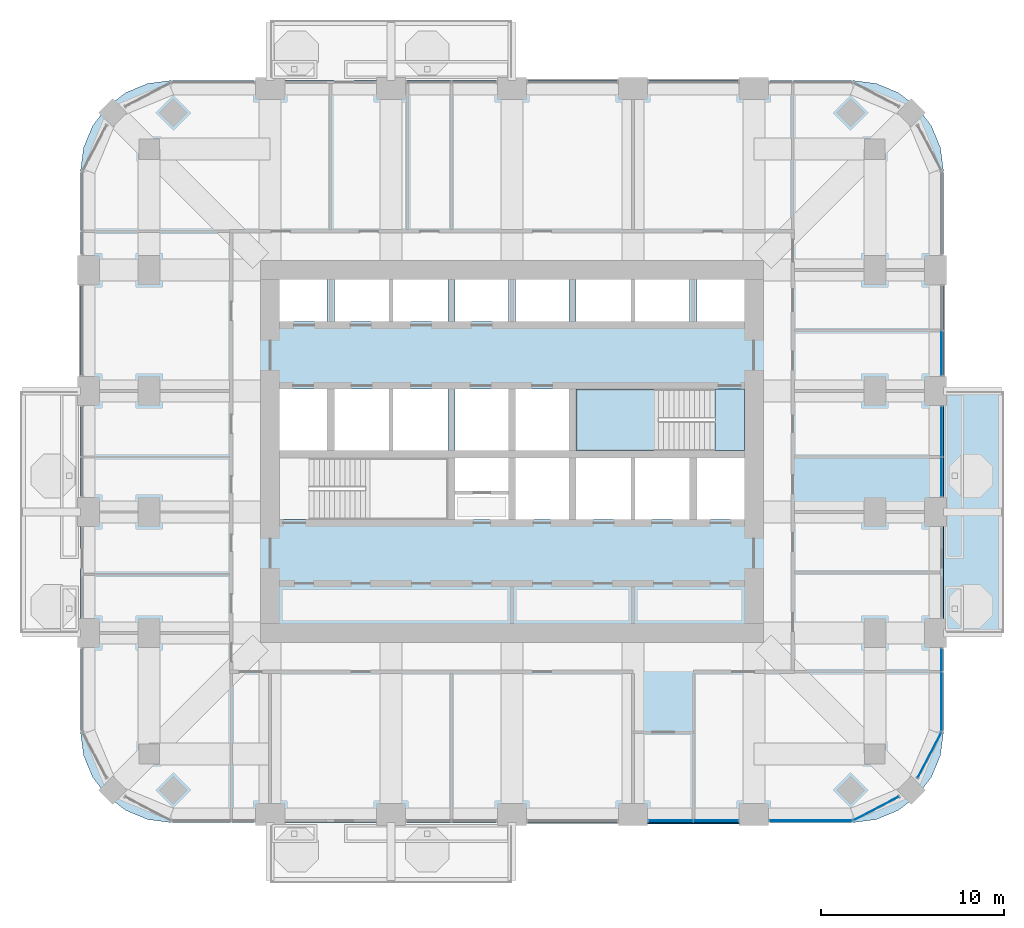
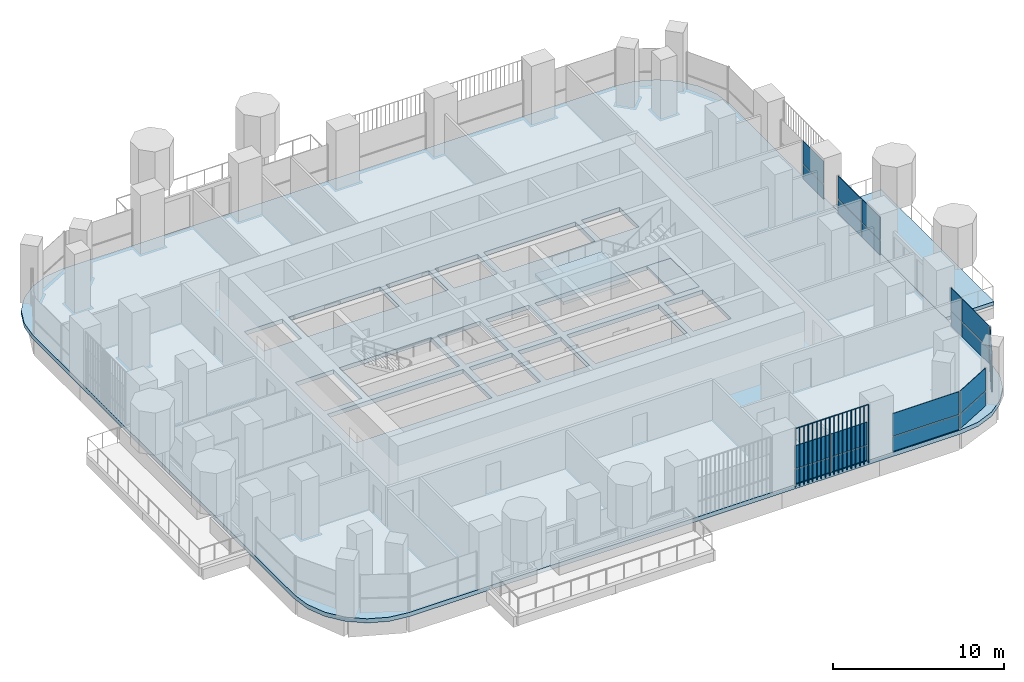
# One storey, part 9 of 20: 21 plates, 4 slabs, 8 elements without a shape of their own.
"""IFC4 building model written with IfcOpenShell, lengths in metres."""

from ifc_helpers import new_model, si_unit, direction, frame, origin, origin_2d, place, context, subcontext, project, spatial, polyline, rectangle, outline, extrude, material, layer, layer_set, type_object, element, aggregate, save


model = new_model("IFC4")

# Units and contexts
model_context = context("Model", 3, precision=1e-05, world=origin(), true_north=direction((0.0, 1.0)))
body_context = subcontext(model_context, "Body", "Model", "MODEL_VIEW")
ifc_project = project(units=[si_unit("LENGTHUNIT", "METRE"), si_unit("AREAUNIT", "SQUARE_METRE"), si_unit("VOLUMEUNIT", "CUBIC_METRE"), si_unit("PLANEANGLEUNIT", "RADIAN"), si_unit("MASSUNIT", "GRAM", prefix="KILO")], contexts=[model_context])

# Site, building, storey
site_placement = place(None, origin())
site = spatial("IfcSite", under=ifc_project, at=site_placement, CompositionType="ELEMENT")
building_placement = place(site_placement, origin())
building = spatial("IfcBuilding", under=site, at=building_placement, Name="Cobogo Forest Laboratory Tower", CompositionType="ELEMENT")
storey_placement = place(building_placement, frame((0.0, 0.0, 176.699951171875)))
storey = spatial("IfcBuildingStorey", under=building, at=storey_placement, Name="L40", CompositionType="ELEMENT", Elevation=176.699951171875)

# Slabs
ifc_material_1 = material(Name="Concrete HA-40 (C40/50)", Category="concrete")
ifc_layer_1 = layer(ifc_material_1, 0.25)
ifc_layer_set_1 = layer_set([ifc_layer_1], Name="Balcony slab 250")
slab_type_1 = type_object("IfcSlabType", Name="Balcony slab 250", PredefinedType="FLOOR", material=ifc_layer_set_1)
slab_1_placement = place(storey_placement, frame((0.0, 0.0, -0.25)))
element("IfcSlab", 1, at=slab_1_placement, inside=storey, type_object=slab_type_1, Name="Balcony BAL-E1 L40", PredefinedType="FLOOR", context=body_context, shape_type="SweptSolid", body=[
    extrude(outline(polyline([(49.949951171875, 13.199951171875), (53.25, 13.199951171875), (53.25, 26.39990234375), (49.949951171875, 26.39990234375), (49.949951171875, 13.199951171875)])), origin(), (0.0, 0.0, 1.0), 0.25),
])
ifc_layer_2 = layer(ifc_material_1, 0.300048828125)
ifc_layer_set_2 = layer_set([ifc_layer_2], Name="Floor slab 300")
slab_type_2 = type_object("IfcSlabType", Name="Floor slab 300", PredefinedType="FLOOR", material=ifc_layer_set_2)
slab_2_placement = place(storey_placement, frame((0.0, 0.0, -0.300048828125)))
element("IfcSlab", 2, at=slab_2_placement, inside=storey, type_object=slab_type_2, Name="L40 floor slab", PredefinedType="FLOOR", context=body_context, shape_type="SweptSolid", body=[
    extrude(outline(polyline([(45.0, 2.85009765625), (46.28125, 3.0185546875), (47.47509765625, 3.51318359375), (48.500244140625, 4.2998046875), (49.286865234375, 5.324951171875), (49.78125, 6.518798828125), (49.949951171875, 7.800048828125), (49.949951171875, 38.39990234375), (49.78125, 39.68115234375), (49.286865234375, 40.875), (48.500244140625, 41.900146484375), (47.47509765625, 42.686767578125), (46.28125, 43.181396484375), (45.0, 43.35009765625), (7.800048828125, 43.35009765625), (6.518798828125, 43.181396484375), (5.324951171875, 42.686767578125), (4.2998046875, 41.900146484375), (3.51318359375, 40.875), (3.0185546875, 39.68115234375), (2.85009765625, 38.39990234375), (2.85009765625, 7.800048828125), (3.0185546875, 6.518798828125), (3.51318359375, 5.324951171875), (4.2998046875, 4.2998046875), (5.324951171875, 3.51318359375), (6.518798828125, 3.0185546875), (7.800048828125, 2.85009765625), (45.0, 2.85009765625)]), holes=[polyline([(22.89990234375, 19.39990234375), (13.72509765625, 19.39990234375), (13.72509765625, 22.75), (22.89990234375, 22.75), (22.89990234375, 19.39990234375)]), polyline([(26.199951171875, 19.39990234375), (23.300048828125, 19.39990234375), (23.300048828125, 22.75), (26.199951171875, 22.75), (26.199951171875, 19.39990234375)]), polyline([(29.5, 19.39990234375), (26.60009765625, 19.39990234375), (26.60009765625, 22.75), (29.5, 22.75), (29.5, 19.39990234375)]), polyline([(36.10009765625, 22.75), (36.10009765625, 19.39990234375), (29.89990234375, 19.39990234375), (29.89990234375, 22.75), (36.10009765625, 22.75)]), polyline([(36.5, 19.39990234375), (36.5, 22.75), (39.074951171875, 22.75), (39.074951171875, 19.39990234375), (36.5, 19.39990234375)]), polyline([(16.300048828125, 23.14990234375), (13.72509765625, 23.14990234375), (13.72509765625, 26.5), (16.300048828125, 26.5), (16.300048828125, 23.14990234375)]), polyline([(22.89990234375, 26.5), (22.89990234375, 23.14990234375), (16.699951171875, 23.14990234375), (16.699951171875, 26.5), (22.89990234375, 26.5)]), polyline([(26.199951171875, 23.14990234375), (23.300048828125, 23.14990234375), (23.300048828125, 26.5), (26.199951171875, 26.5), (26.199951171875, 23.14990234375)]), polyline([(26.60009765625, 23.14990234375), (26.60009765625, 26.5), (29.5, 26.5), (29.5, 23.14990234375), (26.60009765625, 23.14990234375)]), polyline([(39.074951171875, 23.14990234375), (29.89990234375, 23.14990234375), (29.89990234375, 26.5), (39.074951171875, 26.5), (39.074951171875, 23.14990234375)]), polyline([(16.300048828125, 30.199951171875), (13.72509765625, 30.199951171875), (13.72509765625, 32.47509765625), (16.300048828125, 32.47509765625), (16.300048828125, 30.199951171875)]), polyline([(22.89990234375, 32.47509765625), (22.89990234375, 30.199951171875), (16.699951171875, 30.199951171875), (16.699951171875, 32.47509765625), (22.89990234375, 32.47509765625)]), polyline([(23.300048828125, 30.199951171875), (23.300048828125, 32.47509765625), (26.199951171875, 32.47509765625), (26.199951171875, 30.199951171875), (23.300048828125, 30.199951171875)]), polyline([(29.5, 30.199951171875), (26.60009765625, 30.199951171875), (26.60009765625, 32.47509765625), (29.5, 32.47509765625), (29.5, 30.199951171875)]), polyline([(36.10009765625, 32.47509765625), (36.10009765625, 30.199951171875), (29.89990234375, 30.199951171875), (29.89990234375, 32.47509765625), (36.10009765625, 32.47509765625)]), polyline([(36.5, 30.199951171875), (36.5, 32.47509765625), (39.074951171875, 32.47509765625), (39.074951171875, 30.199951171875), (36.5, 30.199951171875)])]), origin(), (0.0, 0.0, 1.0), 0.300048828125),
])

# Curtain wall, plates
ifc_material_2 = material(Name="Aluminium curtain wall", Category="aluminium")
curtain_wall_type = type_object("IfcCurtainWallType", Name="CW-2 unitised curtain wall, solar control glazing, laboratory floors zones C and D", PredefinedType="USERDEFINED", material=ifc_material_2)
curtain_wall_1_placement = place(storey_placement, origin())
curtain_wall_1 = element("IfcCurtainWall", 3, at=curtain_wall_1_placement, inside=storey, type_object=curtain_wall_type, Name="Curtain wall 05 L40", ObjectType="UNITISED CURTAIN WALL", PredefinedType="USERDEFINED")
ifc_material_3 = material(Name="Solar control insulated glass", Category="glass")
ifc_layer_3 = layer(ifc_material_3, 0.031982421875)
ifc_layer_set_3 = layer_set([ifc_layer_3], Name="GP-2 solar control glass unit 32")
plate_type_1 = type_object("IfcPlateType", Name="GP-2 solar control glass unit 32", PredefinedType="CURTAIN_PANEL", material=ifc_layer_set_3)
plate_1_placement = place(storey_placement, frame((35.06494140625, 2.949951171875, 0.0), z_axis=(0.0, 0.0, 1.0), x_axis=(1.0, 0.0, 0.0)))
plate_1 = element("IfcPlate", 4, at=plate_1_placement, type_object=plate_type_1, Name="CW-2 panel 1.1", PredefinedType="CURTAIN_PANEL", context=body_context, shape_type="SweptSolid", body=[
    extrude(rectangle(XDim=2.409912109375, YDim=0.031982421875, at=origin_2d()), origin(), (0.0, 0.0, 1.0), 1.02001953125),
])
plate_2_placement = place(storey_placement, frame((35.06494140625, 2.949951171875, 1.080078125), z_axis=(0.0, 0.0, 1.0), x_axis=(1.0, 0.0, 0.0)))
plate_2 = element("IfcPlate", 5, at=plate_2_placement, type_object=plate_type_1, Name="CW-2 panel 1.2", PredefinedType="CURTAIN_PANEL", context=body_context, shape_type="SweptSolid", body=[
    extrude(rectangle(XDim=2.409912109375, YDim=0.031982421875, at=origin_2d()), origin(), (0.0, 0.0, 1.0), 1.6201171875),
])
plate_3_placement = place(storey_placement, frame((37.534912109375, 2.949951171875, 0.0), z_axis=(0.0, 0.0, 1.0), x_axis=(1.0, 0.0, 0.0)))
plate_3 = element("IfcPlate", 6, at=plate_3_placement, type_object=plate_type_1, Name="CW-2 panel 2.1", PredefinedType="CURTAIN_PANEL", context=body_context, shape_type="SweptSolid", body=[
    extrude(rectangle(XDim=2.409912109375, YDim=0.031982421875, at=origin_2d()), origin(), (0.0, 0.0, 1.0), 1.02001953125),
])
plate_4_placement = place(storey_placement, frame((37.534912109375, 2.949951171875, 1.080078125), z_axis=(0.0, 0.0, 1.0), x_axis=(1.0, 0.0, 0.0)))
plate_4 = element("IfcPlate", 7, at=plate_4_placement, type_object=plate_type_1, Name="CW-2 panel 2.2", PredefinedType="CURTAIN_PANEL", context=body_context, shape_type="SweptSolid", body=[
    extrude(rectangle(XDim=2.409912109375, YDim=0.031982421875, at=origin_2d()), origin(), (0.0, 0.0, 1.0), 1.6201171875),
])
aggregate(curtain_wall_1, [plate_1, plate_2, plate_3, plate_4])

curtain_wall_2_placement = place(storey_placement, origin())
curtain_wall_2 = element("IfcCurtainWall", 8, at=curtain_wall_2_placement, inside=storey, type_object=curtain_wall_type, Name="Curtain wall 06 L40", ObjectType="UNITISED CURTAIN WALL", PredefinedType="USERDEFINED")
plate_5_placement = place(storey_placement, frame((42.699951171875, 2.949951171875, 0.0), z_axis=(0.0, 0.0, 1.0), x_axis=(1.0, 0.0, 0.0)))
plate_5 = element("IfcPlate", 9, at=plate_5_placement, type_object=plate_type_1, Name="CW-2 panel 1.1", PredefinedType="CURTAIN_PANEL", context=body_context, shape_type="SweptSolid", body=[
    extrude(rectangle(XDim=4.47998046875, YDim=0.031982421875, at=origin_2d()), origin(), (0.0, 0.0, 1.0), 1.02001953125),
])
plate_6_placement = place(storey_placement, frame((42.699951171875, 2.949951171875, 1.080078125), z_axis=(0.0, 0.0, 1.0), x_axis=(1.0, 0.0, 0.0)))
plate_6 = element("IfcPlate", 10, at=plate_6_placement, type_object=plate_type_1, Name="CW-2 panel 1.2", PredefinedType="CURTAIN_PANEL", context=body_context, shape_type="SweptSolid", body=[
    extrude(rectangle(XDim=4.47998046875, YDim=0.031982421875, at=origin_2d()), origin(), (0.0, 0.0, 1.0), 1.6201171875),
])
aggregate(curtain_wall_2, [plate_5, plate_6])

curtain_wall_3_placement = place(storey_placement, origin())
curtain_wall_3 = element("IfcCurtainWall", 11, at=curtain_wall_3_placement, inside=storey, type_object=curtain_wall_type, Name="Curtain wall 07 L40", ObjectType="UNITISED CURTAIN WALL", PredefinedType="USERDEFINED")
plate_7_placement = place(storey_placement, frame((46.275634765625, 3.61865234375, 0.0), z_axis=(0.0, 0.0, 1.0), x_axis=(0.885686484356, 0.464283804832, 0.0)))
plate_7 = element("IfcPlate", 12, at=plate_7_placement, type_object=plate_type_1, Name="CW-2 panel 1.1", PredefinedType="CURTAIN_PANEL", context=body_context, shape_type="SweptSolid", body=[
    extrude(rectangle(XDim=2.76025390625, YDim=0.031982421875, at=origin_2d()), origin(), (0.0, 0.0, 1.0), 1.02001953125),
])
plate_8_placement = place(storey_placement, frame((46.275634765625, 3.61865234375, 1.080078125), z_axis=(0.0, 0.0, 1.0), x_axis=(0.885686484356, 0.464283804832, 0.0)))
plate_8 = element("IfcPlate", 13, at=plate_8_placement, type_object=plate_type_1, Name="CW-2 panel 1.2", PredefinedType="CURTAIN_PANEL", context=body_context, shape_type="SweptSolid", body=[
    extrude(rectangle(XDim=2.76025390625, YDim=0.031982421875, at=origin_2d()), origin(), (0.0, 0.0, 1.0), 1.6201171875),
])
aggregate(curtain_wall_3, [plate_7, plate_8])

curtain_wall_4_placement = place(storey_placement, origin())
curtain_wall_4 = element("IfcCurtainWall", 14, at=curtain_wall_4_placement, inside=storey, type_object=curtain_wall_type, Name="Curtain wall 08 L40", ObjectType="UNITISED CURTAIN WALL", PredefinedType="USERDEFINED")
plate_9_placement = place(storey_placement, frame((49.181396484375, 6.5244140625, 0.0), z_axis=(0.0, 0.0, 1.0), x_axis=(0.464283804832, 0.885686484356, 0.0)))
plate_9 = element("IfcPlate", 15, at=plate_9_placement, type_object=plate_type_1, Name="CW-2 panel 1.1", PredefinedType="CURTAIN_PANEL", context=body_context, shape_type="SweptSolid", body=[
    extrude(rectangle(XDim=2.76025390625, YDim=0.031982421875, at=origin_2d()), origin(), (0.0, 0.0, 1.0), 1.02001953125),
])
plate_10_placement = place(storey_placement, frame((49.181396484375, 6.5244140625, 1.080078125), z_axis=(0.0, 0.0, 1.0), x_axis=(0.464283804832, 0.885686484356, 0.0)))
plate_10 = element("IfcPlate", 16, at=plate_10_placement, type_object=plate_type_1, Name="CW-2 panel 1.2", PredefinedType="CURTAIN_PANEL", context=body_context, shape_type="SweptSolid", body=[
    extrude(rectangle(XDim=2.76025390625, YDim=0.031982421875, at=origin_2d()), origin(), (0.0, 0.0, 1.0), 1.6201171875),
])
aggregate(curtain_wall_4, [plate_9, plate_10])

curtain_wall_5_placement = place(storey_placement, origin())
curtain_wall_5 = element("IfcCurtainWall", 17, at=curtain_wall_5_placement, inside=storey, type_object=curtain_wall_type, Name="Curtain wall 09 L40", ObjectType="UNITISED CURTAIN WALL", PredefinedType="USERDEFINED")
plate_11_placement = place(storey_placement, frame((49.85009765625, 9.452392578125, 0.0), z_axis=(0.0, 0.0, 1.0), x_axis=(0.0, 1.0, 0.0)))
plate_11 = element("IfcPlate", 18, at=plate_11_placement, type_object=plate_type_1, Name="CW-2 panel 1.1", PredefinedType="CURTAIN_PANEL", context=body_context, shape_type="SweptSolid", body=[
    extrude(rectangle(XDim=3.18505859375, YDim=0.031982421875, at=origin_2d()), origin(), (0.0, 0.0, 1.0), 1.02001953125),
])
plate_12_placement = place(storey_placement, frame((49.85009765625, 9.452392578125, 1.080078125), z_axis=(0.0, 0.0, 1.0), x_axis=(0.0, 1.0, 0.0)))
plate_12 = element("IfcPlate", 19, at=plate_12_placement, type_object=plate_type_1, Name="CW-2 panel 1.2", PredefinedType="CURTAIN_PANEL", context=body_context, shape_type="SweptSolid", body=[
    extrude(rectangle(XDim=3.18505859375, YDim=0.031982421875, at=origin_2d()), origin(), (0.0, 0.0, 1.0), 1.6201171875),
])
plate_13_placement = place(storey_placement, frame((49.85009765625, 11.722412109375, 0.0), z_axis=(0.0, 0.0, 1.0), x_axis=(0.0, 1.0, 0.0)))
plate_13 = element("IfcPlate", 20, at=plate_13_placement, type_object=plate_type_1, Name="CW-2 panel 2.1", PredefinedType="CURTAIN_PANEL", context=body_context, shape_type="SweptSolid", body=[
    extrude(rectangle(XDim=1.235107421875, YDim=0.031982421875, at=origin_2d()), origin(), (0.0, 0.0, 1.0), 1.02001953125),
])
plate_14_placement = place(storey_placement, frame((49.85009765625, 11.722412109375, 1.080078125), z_axis=(0.0, 0.0, 1.0), x_axis=(0.0, 1.0, 0.0)))
plate_14 = element("IfcPlate", 21, at=plate_14_placement, type_object=plate_type_1, Name="CW-2 panel 2.2", PredefinedType="CURTAIN_PANEL", context=body_context, shape_type="SweptSolid", body=[
    extrude(rectangle(XDim=1.235107421875, YDim=0.031982421875, at=origin_2d()), origin(), (0.0, 0.0, 1.0), 1.6201171875),
])
aggregate(curtain_wall_5, [plate_11, plate_12, plate_13, plate_14])

curtain_wall_6_placement = place(storey_placement, origin())
curtain_wall_6 = element("IfcCurtainWall", 22, at=curtain_wall_6_placement, inside=storey, type_object=curtain_wall_type, Name="Curtain wall 11 L40", ObjectType="UNITISED CURTAIN WALL", PredefinedType="USERDEFINED")
plate_15_placement = place(storey_placement, frame((49.85009765625, 21.715087890625, 0.0), z_axis=(0.0, 0.0, 1.0), x_axis=(0.0, 1.0, 0.0)))
plate_15 = element("IfcPlate", 23, at=plate_15_placement, type_object=plate_type_1, Name="CW-2 panel 1.1", PredefinedType="CURTAIN_PANEL", context=body_context, shape_type="SweptSolid", body=[
    extrude(rectangle(XDim=2.110107421875, YDim=0.031982421875, at=origin_2d()), origin(), (0.0, 0.0, 1.0), 1.02001953125),
])
plate_16_placement = place(storey_placement, frame((49.85009765625, 21.715087890625, 1.080078125), z_axis=(0.0, 0.0, 1.0), x_axis=(0.0, 1.0, 0.0)))
plate_16 = element("IfcPlate", 24, at=plate_16_placement, type_object=plate_type_1, Name="CW-2 panel 1.2", PredefinedType="CURTAIN_PANEL", context=body_context, shape_type="SweptSolid", body=[
    extrude(rectangle(XDim=2.110107421875, YDim=0.031982421875, at=origin_2d()), origin(), (0.0, 0.0, 1.0), 1.6201171875),
])
plate_17_placement = place(storey_placement, frame((49.85009765625, 24.18505859375, 0.0), z_axis=(0.0, 0.0, 1.0), x_axis=(0.0, 1.0, 0.0)))
plate_17 = element("IfcPlate", 25, at=plate_17_placement, type_object=plate_type_1, Name="CW-2 panel 2.1", PredefinedType="CURTAIN_PANEL", context=body_context, shape_type="SweptSolid", body=[
    extrude(rectangle(XDim=2.7099609375, YDim=0.031982421875, at=origin_2d()), origin(), (0.0, 0.0, 1.0), 1.02001953125),
])
plate_18_placement = place(storey_placement, frame((49.85009765625, 24.18505859375, 1.080078125), z_axis=(0.0, 0.0, 1.0), x_axis=(0.0, 1.0, 0.0)))
plate_18 = element("IfcPlate", 26, at=plate_18_placement, type_object=plate_type_1, Name="CW-2 panel 2.2", PredefinedType="CURTAIN_PANEL", context=body_context, shape_type="SweptSolid", body=[
    extrude(rectangle(XDim=2.7099609375, YDim=0.031982421875, at=origin_2d()), origin(), (0.0, 0.0, 1.0), 1.6201171875),
])
aggregate(curtain_wall_6, [plate_15, plate_16, plate_17, plate_18])

curtain_wall_7_placement = place(storey_placement, origin())
curtain_wall_7 = element("IfcCurtainWall", 27, at=curtain_wall_7_placement, inside=storey, type_object=curtain_wall_type, Name="Curtain wall 12 L40", ObjectType="UNITISED CURTAIN WALL", PredefinedType="USERDEFINED")
plate_19_placement = place(storey_placement, frame((49.85009765625, 28.465087890625, 0.0), z_axis=(0.0, 0.0, 1.0), x_axis=(0.0, 1.0, 0.0)))
plate_19 = element("IfcPlate", 28, at=plate_19_placement, type_object=plate_type_1, Name="CW-2 panel 1.1", PredefinedType="CURTAIN_PANEL", context=body_context, shape_type="SweptSolid", body=[
    extrude(rectangle(XDim=2.409912109375, YDim=0.031982421875, at=origin_2d()), origin(), (0.0, 0.0, 1.0), 1.02001953125),
])
plate_20_placement = place(storey_placement, frame((49.85009765625, 28.465087890625, 1.080078125), z_axis=(0.0, 0.0, 1.0), x_axis=(0.0, 1.0, 0.0)))
plate_20 = element("IfcPlate", 29, at=plate_20_placement, type_object=plate_type_1, Name="CW-2 panel 1.2", PredefinedType="CURTAIN_PANEL", context=body_context, shape_type="SweptSolid", body=[
    extrude(rectangle(XDim=2.409912109375, YDim=0.031982421875, at=origin_2d()), origin(), (0.0, 0.0, 1.0), 1.6201171875),
])
aggregate(curtain_wall_7, [plate_19, plate_20])

# Stair, slabs
ifc_material_4 = material(Name="Precast concrete HA-40 (C40/50)", Category="concrete")
stair_type = type_object("IfcStairType", Name="ST24 exit stair 24 risers", PredefinedType="HALF_TURN_STAIR", material=ifc_material_4)
stair_placement = place(storey_placement, origin())
stair = element("IfcStair", 30, at=stair_placement, inside=storey, type_object=stair_type, Name="Stair 2 L40 to L41", PredefinedType="HALF_TURN_STAIR")
ifc_layer_4 = layer(ifc_material_1, 0.199951171875)
ifc_layer_set_4 = layer_set([ifc_layer_4], Name="SL stair landing 200")
slab_type_3 = type_object("IfcSlabType", Name="SL stair landing 200", PredefinedType="LANDING", material=ifc_layer_set_4)
slab_3_placement = place(storey_placement, frame((0.0, 0.0, -0.199951171875)))
slab_3 = element("IfcSlab", 31, at=slab_3_placement, type_object=slab_type_3, Name="ST2 landing 1", PredefinedType="LANDING", context=body_context, shape_type="SweptSolid", body=[
    extrude(outline(polyline([(37.472900390625, 23.14990234375), (39.074951171875, 23.14990234375), (39.074951171875, 26.5), (37.472900390625, 26.5), (37.472900390625, 23.14990234375)])), origin(), (0.0, 0.0, 1.0), 0.199951171875),
])
slab_4_placement = place(storey_placement, frame((0.0, 0.0, 1.900146484375)))
slab_4 = element("IfcSlab", 32, at=slab_4_placement, type_object=slab_type_3, Name="ST2 landing 2", PredefinedType="LANDING", context=body_context, shape_type="SweptSolid", body=[
    extrude(outline(polyline([(29.89990234375, 23.14990234375), (34.39697265625, 23.14990234375), (34.39697265625, 26.5), (29.89990234375, 26.5), (29.89990234375, 23.14990234375)])), origin(), (0.0, 0.0, 1.0), 0.199951171875),
])
aggregate(stair, [slab_3, slab_4])

# Plate
ifc_material_5 = material(Name="Terracotta", Category="masonry")
plate_type_2 = type_object("IfcPlateType", Name="TB1 terracotta baguette screen", PredefinedType="USERDEFINED", material=ifc_material_5)
plate_21_placement = place(storey_placement, frame((33.831298828125, 2.822021484375, -0.14990234375)))
element("IfcPlate", 33, at=plate_21_placement, inside=storey, type_object=plate_type_2, Name="Baguette screen S4 L40", ObjectType="BAGUETTE SCREEN", PredefinedType="USERDEFINED", context=body_context, shape_type="SweptSolid", body=[
    extrude(outline(polyline([(0.02880859375, 0.011962890625), (0.011962890625, 0.02880859375), (-0.011962890625, 0.02880859375), (-0.02880859375, 0.011962890625), (-0.02880859375, -0.011962890625), (-0.011962890625, -0.02880859375), (0.011962890625, -0.02880859375), (0.02880859375, -0.011962890625), (0.02880859375, 0.011962890625)])), frame((0.0, 0.0, 4.168701171875), z_axis=(1.0, 0.0, 0.0), x_axis=(0.0, 1.0, 0.0)), (0.0, 0.0, 1.0), 4.9375),
    extrude(outline(polyline([(0.02880859375, 0.011962890625), (0.011962890625, 0.02880859375), (-0.011962890625, 0.02880859375), (-0.02880859375, 0.011962890625), (-0.02880859375, -0.011962890625), (-0.011962890625, -0.02880859375), (0.011962890625, -0.02880859375), (0.02880859375, -0.011962890625), (0.02880859375, 0.011962890625)])), origin(), (0.0, 0.0, 1.0), 4.137451171875),
    extrude(outline(polyline([(0.02880859375, 0.011962890625), (0.011962890625, 0.02880859375), (-0.011962890625, 0.02880859375), (-0.02880859375, 0.011962890625), (-0.02880859375, -0.011962890625), (-0.011962890625, -0.02880859375), (0.011962890625, -0.02880859375), (0.02880859375, -0.011962890625), (0.02880859375, 0.011962890625)])), frame((0.29052734375, 0.0, 0.0)), (0.0, 0.0, 1.0), 4.137451171875),
    extrude(outline(polyline([(0.02880859375, 0.011962890625), (0.011962890625, 0.02880859375), (-0.011962890625, 0.02880859375), (-0.02880859375, 0.011962890625), (-0.02880859375, -0.011962890625), (-0.011962890625, -0.02880859375), (0.011962890625, -0.02880859375), (0.02880859375, -0.011962890625), (0.02880859375, 0.011962890625)])), frame((0.580810546875, 0.0, 0.0)), (0.0, 0.0, 1.0), 4.137451171875),
    extrude(outline(polyline([(0.02880859375, 0.011962890625), (0.011962890625, 0.02880859375), (-0.011962890625, 0.02880859375), (-0.02880859375, 0.011962890625), (-0.02880859375, -0.011962890625), (-0.011962890625, -0.02880859375), (0.011962890625, -0.02880859375), (0.02880859375, -0.011962890625), (0.02880859375, 0.011962890625)])), frame((0.871337890625, 0.0, 0.0)), (0.0, 0.0, 1.0), 4.137451171875),
    extrude(outline(polyline([(0.02880859375, 0.011962890625), (0.011962890625, 0.02880859375), (-0.011962890625, 0.02880859375), (-0.02880859375, 0.011962890625), (-0.02880859375, -0.011962890625), (-0.011962890625, -0.02880859375), (0.011962890625, -0.02880859375), (0.02880859375, -0.011962890625), (0.02880859375, 0.011962890625)])), frame((1.161865234375, 0.0, 0.0)), (0.0, 0.0, 1.0), 4.137451171875),
    extrude(outline(polyline([(0.02880859375, 0.011962890625), (0.011962890625, 0.02880859375), (-0.011962890625, 0.02880859375), (-0.02880859375, 0.011962890625), (-0.02880859375, -0.011962890625), (-0.011962890625, -0.02880859375), (0.011962890625, -0.02880859375), (0.02880859375, -0.011962890625), (0.02880859375, 0.011962890625)])), frame((1.4521484375, 0.0, 0.0)), (0.0, 0.0, 1.0), 4.137451171875),
    extrude(outline(polyline([(0.02880859375, 0.011962890625), (0.011962890625, 0.02880859375), (-0.011962890625, 0.02880859375), (-0.02880859375, 0.011962890625), (-0.02880859375, -0.011962890625), (-0.011962890625, -0.02880859375), (0.011962890625, -0.02880859375), (0.02880859375, -0.011962890625), (0.02880859375, 0.011962890625)])), frame((1.74267578125, 0.0, 0.0)), (0.0, 0.0, 1.0), 4.137451171875),
    extrude(outline(polyline([(0.02880859375, 0.011962890625), (0.011962890625, 0.02880859375), (-0.011962890625, 0.02880859375), (-0.02880859375, 0.011962890625), (-0.02880859375, -0.011962890625), (-0.011962890625, -0.02880859375), (0.011962890625, -0.02880859375), (0.02880859375, -0.011962890625), (0.02880859375, 0.011962890625)])), frame((2.033203125, 0.0, 0.0)), (0.0, 0.0, 1.0), 4.137451171875),
    extrude(outline(polyline([(0.02880859375, 0.011962890625), (0.011962890625, 0.02880859375), (-0.011962890625, 0.02880859375), (-0.02880859375, 0.011962890625), (-0.02880859375, -0.011962890625), (-0.011962890625, -0.02880859375), (0.011962890625, -0.02880859375), (0.02880859375, -0.011962890625), (0.02880859375, 0.011962890625)])), frame((2.323486328125, 0.0, 0.0)), (0.0, 0.0, 1.0), 4.137451171875),
    extrude(outline(polyline([(0.02880859375, 0.011962890625), (0.011962890625, 0.02880859375), (-0.011962890625, 0.02880859375), (-0.02880859375, 0.011962890625), (-0.02880859375, -0.011962890625), (-0.011962890625, -0.02880859375), (0.011962890625, -0.02880859375), (0.02880859375, -0.011962890625), (0.02880859375, 0.011962890625)])), frame((2.614013671875, 0.0, 0.0)), (0.0, 0.0, 1.0), 4.137451171875),
    extrude(outline(polyline([(0.02880859375, 0.011962890625), (0.011962890625, 0.02880859375), (-0.011962890625, 0.02880859375), (-0.02880859375, 0.011962890625), (-0.02880859375, -0.011962890625), (-0.011962890625, -0.02880859375), (0.011962890625, -0.02880859375), (0.02880859375, -0.011962890625), (0.02880859375, 0.011962890625)])), frame((2.904296875, 0.0, 0.0)), (0.0, 0.0, 1.0), 4.137451171875),
    extrude(outline(polyline([(0.02880859375, 0.011962890625), (0.011962890625, 0.02880859375), (-0.011962890625, 0.02880859375), (-0.02880859375, 0.011962890625), (-0.02880859375, -0.011962890625), (-0.011962890625, -0.02880859375), (0.011962890625, -0.02880859375), (0.02880859375, -0.011962890625), (0.02880859375, 0.011962890625)])), frame((3.19482421875, 0.0, 0.0)), (0.0, 0.0, 1.0), 4.137451171875),
    extrude(outline(polyline([(0.02880859375, 0.011962890625), (0.011962890625, 0.02880859375), (-0.011962890625, 0.02880859375), (-0.02880859375, 0.011962890625), (-0.02880859375, -0.011962890625), (-0.011962890625, -0.02880859375), (0.011962890625, -0.02880859375), (0.02880859375, -0.011962890625), (0.02880859375, 0.011962890625)])), frame((3.4853515625, 0.0, 0.0)), (0.0, 0.0, 1.0), 4.137451171875),
    extrude(outline(polyline([(0.02880859375, 0.011962890625), (0.011962890625, 0.02880859375), (-0.011962890625, 0.02880859375), (-0.02880859375, 0.011962890625), (-0.02880859375, -0.011962890625), (-0.011962890625, -0.02880859375), (0.011962890625, -0.02880859375), (0.02880859375, -0.011962890625), (0.02880859375, 0.011962890625)])), frame((3.775634765625, 0.0, 0.0)), (0.0, 0.0, 1.0), 4.137451171875),
    extrude(outline(polyline([(0.02880859375, 0.011962890625), (0.011962890625, 0.02880859375), (-0.011962890625, 0.02880859375), (-0.02880859375, 0.011962890625), (-0.02880859375, -0.011962890625), (-0.011962890625, -0.02880859375), (0.011962890625, -0.02880859375), (0.02880859375, -0.011962890625), (0.02880859375, 0.011962890625)])), frame((4.066162109375, 0.0, 0.0)), (0.0, 0.0, 1.0), 4.137451171875),
    extrude(outline(polyline([(0.02880859375, 0.011962890625), (0.011962890625, 0.02880859375), (-0.011962890625, 0.02880859375), (-0.02880859375, 0.011962890625), (-0.02880859375, -0.011962890625), (-0.011962890625, -0.02880859375), (0.011962890625, -0.02880859375), (0.02880859375, -0.011962890625), (0.02880859375, 0.011962890625)])), frame((4.356689453125, 0.0, 0.0)), (0.0, 0.0, 1.0), 4.137451171875),
    extrude(outline(polyline([(0.02880859375, 0.011962890625), (0.011962890625, 0.02880859375), (-0.011962890625, 0.02880859375), (-0.02880859375, 0.011962890625), (-0.02880859375, -0.011962890625), (-0.011962890625, -0.02880859375), (0.011962890625, -0.02880859375), (0.02880859375, -0.011962890625), (0.02880859375, 0.011962890625)])), frame((4.64697265625, 0.0, 0.0)), (0.0, 0.0, 1.0), 4.137451171875),
    extrude(outline(polyline([(0.02880859375, 0.011962890625), (0.011962890625, 0.02880859375), (-0.011962890625, 0.02880859375), (-0.02880859375, 0.011962890625), (-0.02880859375, -0.011962890625), (-0.011962890625, -0.02880859375), (0.011962890625, -0.02880859375), (0.02880859375, -0.011962890625), (0.02880859375, 0.011962890625)])), frame((4.9375, 0.0, 0.0)), (0.0, 0.0, 1.0), 4.137451171875),
])

save(model, "model.ifc")
